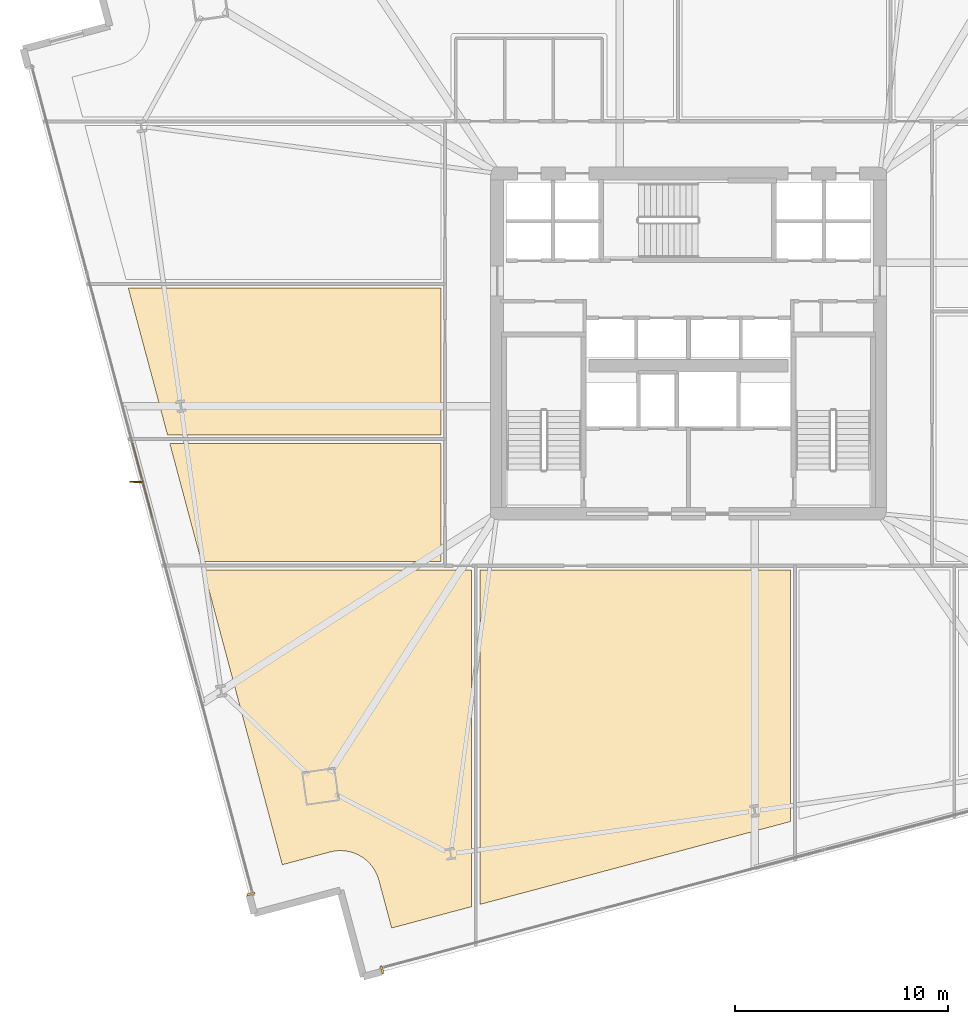
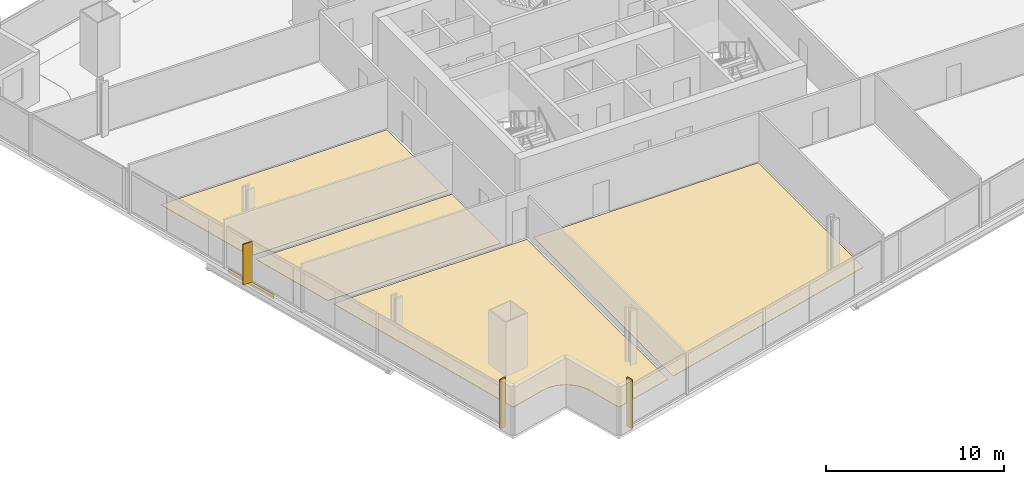
# One storey, part 29 of 33: 7 coverings, 1 shading device.
"""IFC4 building model written with IfcOpenShell, lengths in metres."""

from ifc_helpers import new_model, si_unit, direction, frame, origin, origin_2d, place, context, subcontext, project, spatial, polyline, rectangle, outline, extrude, source, transform, mapped, material, layer, layer_set, type_object, element, save


model = new_model("IFC4")

# Units and contexts
model_context = context("Model", 3, precision=1e-05, world=origin(), true_north=direction((0.0, 1.0)))
body_context = subcontext(model_context, "Body", "Model", "MODEL_VIEW")
ifc_project = project(units=[si_unit("LENGTHUNIT", "METRE"), si_unit("AREAUNIT", "SQUARE_METRE"), si_unit("VOLUMEUNIT", "CUBIC_METRE"), si_unit("PLANEANGLEUNIT", "RADIAN"), si_unit("MASSUNIT", "GRAM", prefix="KILO")], contexts=[model_context])

# Site, building, storey
site_placement = place(None, origin())
site = spatial("IfcSite", under=ifc_project, at=site_placement, CompositionType="ELEMENT")
building_placement = place(site_placement, origin())
building = spatial("IfcBuilding", under=site, at=building_placement, Name="Haldenkirk Collegiate Tower", CompositionType="ELEMENT")
storey_placement = place(building_placement, frame((0.0, 0.0, 77.699951171875)))
storey = spatial("IfcBuildingStorey", under=building, at=storey_placement, Name="L18", CompositionType="ELEMENT", Elevation=77.699951171875)

# Coverings
ifc_material_1 = material(Name="Polished collegiate terrazzo", Category="concrete")
ifc_layer_1 = layer(ifc_material_1, 0.02490234375)
ifc_layer_set_1 = layer_set([ifc_layer_1], Name="Polished collegiate terrazzo")
covering_type_1 = type_object("IfcCoveringType", Name="COV-FLOOR-TERRAZZO", PredefinedType="FLOORING", material=ifc_layer_set_1)
covering_1_placement = place(storey_placement, origin())
element("IfcCovering", 1, at=covering_1_placement, inside=storey, type_object=covering_type_1, Name="L18 academic room finish 02", PredefinedType="FLOORING", context=body_context, shape_type="SweptSolid", body=[
    extrude(outline(polyline([(26.199951171875, -0.3759765625), (26.199951171875, 15.35009765625), (40.800048828125, 15.35009765625), (40.800048828125, 3.5224609375), (26.199951171875, -0.3759765625)])), origin(), (0.0, 0.0, 1.0), 0.025146484375),
])
covering_2_placement = place(storey_placement, origin())
element("IfcCovering", 2, at=covering_2_placement, inside=storey, type_object=covering_type_1, Name="L18 academic room finish 08", PredefinedType="FLOORING", context=body_context, shape_type="SweptSolid", body=[
    extrude(outline(polyline([(11.606689453125, 21.300048828125), (24.35009765625, 21.300048828125), (24.35009765625, 15.75), (13.0888671875, 15.75), (11.606689453125, 21.300048828125)])), origin(), (0.0, 0.0, 1.0), 0.025146484375),
])
ifc_material_2 = material(Name="Engineered collegiate oak acoustic flooring", Category="wood")
ifc_layer_2 = layer(ifc_material_2, 0.02197265625)
ifc_layer_set_2 = layer_set([ifc_layer_2], Name="Engineered collegiate oak acoustic flooring")
covering_type_2 = type_object("IfcCoveringType", Name="COV-FLOOR-TIMBER", PredefinedType="FLOORING", material=ifc_layer_set_2)
covering_3_placement = place(storey_placement, origin())
element("IfcCovering", 3, at=covering_3_placement, inside=storey, type_object=covering_type_2, Name="L18 academic room finish 01", PredefinedType="FLOORING", context=body_context, shape_type="SweptSolid", body=[
    extrude(outline(polyline([(21.11865234375, 1.413818359375), (21.111572265625, 1.423095703125), (21.00048828125, 1.55419921875), (20.992431640625, 1.56298828125), (20.869140625, 1.6826171875), (20.8603515625, 1.690185546875), (20.72607421875, 1.797119140625), (20.71630859375, 1.803955078125), (20.572021484375, 1.897216796875), (20.56201171875, 1.903076171875), (20.4091796875, 1.981689453125), (20.3984375, 1.986572265625), (20.239013671875, 2.0498046875), (20.227783203125, 2.0537109375), (20.0625, 2.100830078125), (20.05126953125, 2.103515625), (19.882080078125, 2.134521484375), (19.87060546875, 2.135986328125), (19.699462890625, 2.150146484375), (19.687744140625, 2.150634765625), (19.51611328125, 2.14794921875), (19.504150390625, 2.147216796875), (19.33349609375, 2.127685546875), (19.322021484375, 2.125732421875), (19.154052734375, 2.089599609375), (19.148193359375, 2.08837890625), (16.897216796875, 1.4873046875), (13.195556640625, 15.35009765625), (25.800048828125, 15.35009765625), (25.800048828125, -0.48291015625), (22.03857421875, -1.4873046875), (21.4375, 0.76416015625), (21.435791015625, 0.769775390625), (21.38330078125, 0.93310546875), (21.379150390625, 0.9443359375), (21.31103515625, 1.101806640625), (21.305908203125, 1.1123046875), (21.222412109375, 1.2626953125), (21.21630859375, 1.272705078125), (21.11865234375, 1.413818359375)])), origin(), (0.0, 0.0, 1.0), 0.02197265625),
])
covering_4_placement = place(storey_placement, origin())
element("IfcCovering", 4, at=covering_4_placement, inside=storey, type_object=covering_type_2, Name="L18 academic room finish 09", PredefinedType="FLOORING", context=body_context, shape_type="SweptSolid", body=[
    extrude(outline(polyline([(9.65771484375, 28.60009765625), (24.35009765625, 28.60009765625), (24.35009765625, 21.699951171875), (11.5, 21.699951171875), (9.65771484375, 28.60009765625)])), origin(), (0.0, 0.0, 1.0), 0.02197265625),
])
ifc_material_3 = material(Name="Anodised architectural bronze aluminium", Category="aluminium")
ifc_layer_3 = layer(ifc_material_3, 0.06005859375)
ifc_layer_set_3 = layer_set([ifc_layer_3], Name="Anodised architectural bronze aluminium")
covering_type_3 = type_object("IfcCoveringType", Name="COV-CLAD-BRONZE-60", PredefinedType="CLADDING", material=ifc_layer_set_3)
shared_shape_1 = source(origin(), body_context, "Body", "SweptSolid", [
    extrude(rectangle(XDim=3.60009765625, YDim=0.06005859375, at=origin_2d()), origin(), (0.0, 0.0, 1.0), 0.300048828125),
])
covering_5_placement = place(storey_placement, frame((10.319580078125, 19.56982421875, -0.2998046875), z_axis=(0.0, 0.0, 1.0), x_axis=(-0.257976017359, 0.966151320688, 0.0)))
element("IfcCovering", 5, at=covering_5_placement, inside=storey, type_object=covering_type_3, Name="L18 architectural bronze spandrel cladding W", PredefinedType="CLADDING", context=body_context, shape_type="MappedRepresentation", body=[
    mapped(shared_shape_1, transform((0.0, 0.0, 0.0), x_axis=(1.0, 0.0, 0.0), y_axis=(0.0, 1.0, 0.0), z_axis=(0.0, 0.0, 1.0), scale=1.0)),
])
shared_shape_2 = source(origin(), body_context, "Body", "SweptSolid", [
    extrude(rectangle(XDim=0.10009765625, YDim=0.3798828125, at=origin_2d()), origin(), (0.0, 0.0, 1.0), 3.340087890625),
])
for number, where, z_axis, x_axis, name in (
    (6, (21.589599609375, -3.449462890625, 0.0), (0.0, 0.0, 1.0), (-0.966151320688, -0.257976017359, 0.0), "L18 recessed curtain-wall bronze jamb closure SJR"),
    (7, (15.419921875, 0.119873046875, 0.0), (0.0, 0.0, 1.0), (-0.257976017359, 0.966151320688, 0.0), "L18 recessed curtain-wall bronze jamb closure WJL"),
):
    element("IfcCovering", number, at=place(storey_placement, frame(where, z_axis=z_axis, x_axis=x_axis)), inside=storey, type_object=covering_type_3, Name=name, PredefinedType="CLADDING", context=body_context, shape_type="MappedRepresentation", body=[
        mapped(shared_shape_2, transform((0.0, 0.0, 0.0), x_axis=(1.0, 0.0, 0.0), y_axis=(0.0, 1.0, 0.0), z_axis=(0.0, 0.0, 1.0), scale=1.0)),
    ])

# Shading device
ifc_layer_4 = layer(ifc_material_3, 0.06494140625)
ifc_layer_set_4 = layer_set([ifc_layer_4], Name="Anodised architectural bronze aluminium")
shading_device_type = type_object("IfcShadingDeviceType", Name="SHD-FIN-BRONZE-620", PredefinedType="USERDEFINED", material=ifc_layer_set_4)
shared_shape_3 = source(origin(), body_context, "Body", "SweptSolid", [
    extrude(rectangle(XDim=0.6201171875, YDim=0.06494140625, at=origin_2d()), origin(), (0.0, 0.0, 1.0), 2.791015625),
])
shading_device_placement = place(storey_placement, frame((10.034423828125, 19.493896484375, 0.0), z_axis=(0.0, 0.0, 1.0), x_axis=(-0.999832084347, 0.018324931396, 0.0)))
element("IfcShadingDevice", 8, at=shading_device_placement, inside=storey, type_object=shading_device_type, Name="L18 folded bronze solar fin 1", ObjectType="FIN", PredefinedType="USERDEFINED", context=body_context, shape_type="MappedRepresentation", body=[
    mapped(shared_shape_3, transform((0.0, 0.0, 0.0), x_axis=(1.0, 0.0, 0.0), y_axis=(0.0, 1.0, 0.0), z_axis=(0.0, 0.0, 1.0), scale=1.0)),
])

save(model, "model.ifc")
